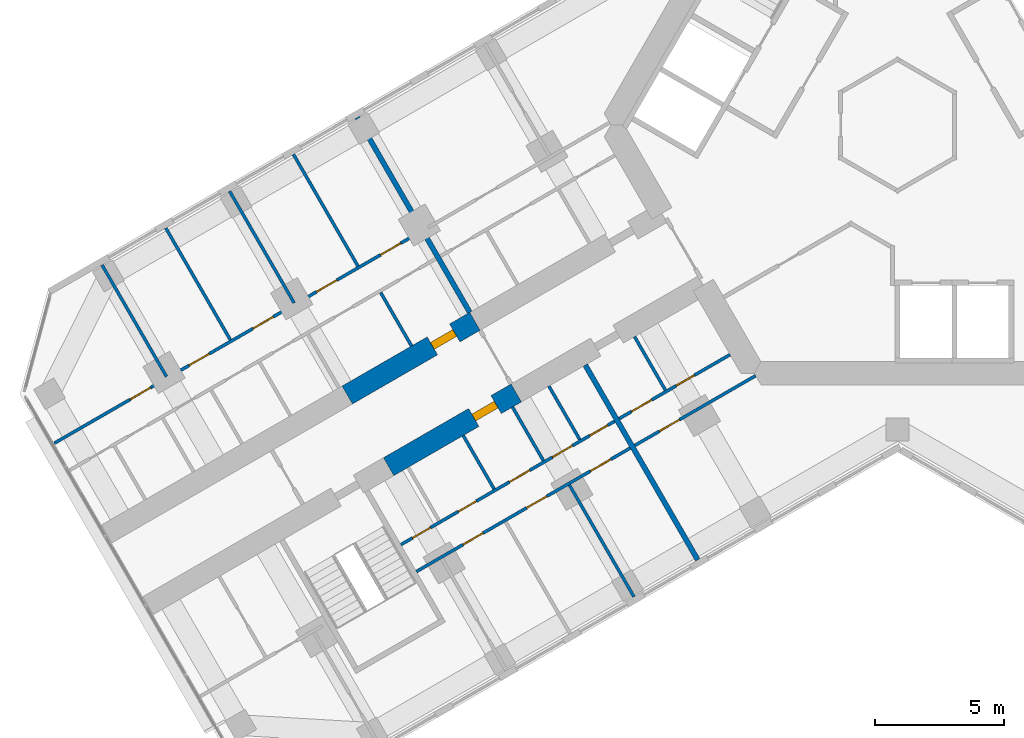
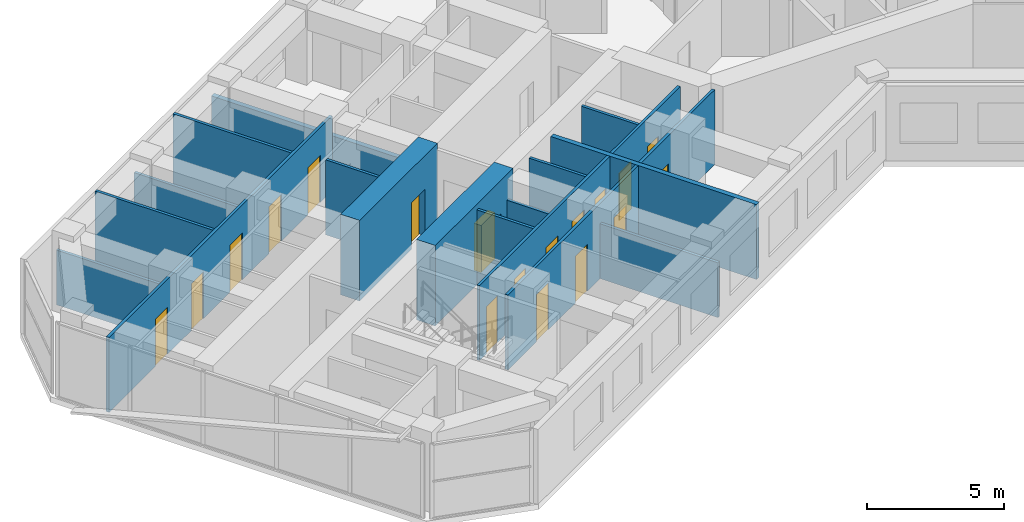
# One storey, part 11 of 19: 19 walls, 18 doors, 18 openings.
"""IFC4 building model written with IfcOpenShell, lengths in metres."""

from ifc_helpers import new_model, si_unit, direction, frame, frame_2d, origin, place, context, subcontext, project, spatial, rectangle, extrude, material, layer, layer_set, type_object, element, fill, save


model = new_model("IFC4")

# Units and contexts
model_context = context("Model", 3, precision=1e-05, world=origin(), true_north=direction((0.0, 1.0)))
body_context = subcontext(model_context, "Body", "Model", "MODEL_VIEW")
ifc_project = project(units=[si_unit("LENGTHUNIT", "METRE"), si_unit("AREAUNIT", "SQUARE_METRE"), si_unit("VOLUMEUNIT", "CUBIC_METRE"), si_unit("PLANEANGLEUNIT", "RADIAN"), si_unit("MASSUNIT", "GRAM", prefix="KILO")], contexts=[model_context])

# Site, building, storey
site_placement = place(None, origin())
site = spatial("IfcSite", under=ifc_project, at=site_placement, CompositionType="ELEMENT")
building_placement = place(site_placement, origin())
building = spatial("IfcBuilding", under=site, at=building_placement, Name="Kosmar Iwan School Tower", CompositionType="ELEMENT")
storey_placement = place(building_placement, frame((0.0, 0.0, 145.39990234375)))
storey = spatial("IfcBuildingStorey", under=building, at=storey_placement, Name="L36", CompositionType="ELEMENT", Elevation=145.39990234375)

# Wall, opening, door
ifc_material_1 = material(Name="Concrete C50/60", Category="concrete")
ifc_layer_1 = layer(ifc_material_1, 0.800048828125)
ifc_layer_set_1 = layer_set([ifc_layer_1], Name="Corridor buttress wall 800")
wall_type_1 = type_object("IfcWallType", Name="Corridor buttress wall 800", PredefinedType="SHEAR", material=ifc_layer_set_1)
wall_1_placement = place(storey_placement, frame((-14.7451171875, -10.360595703125, 0.0), z_axis=(0.0, 0.0, 1.0), x_axis=(-0.866015111908, -0.50001782563, 0.0)))
wall_1 = element("IfcWall", 1, at=wall_1_placement, inside=storey, type_object=wall_type_1, Name="Corridor wall BL bay 2", PredefinedType="SHEAR", context=body_context, shape_type="SweptSolid", body=[
    extrude(rectangle(XDim=5.699951171875, YDim=0.800048828125, at=frame_2d((2.85009765625, 0.0))), origin(), (0.0, 0.0, 1.0), 3.60009765625),
])
opening_1_placement = place(wall_1_placement, frame((0.89990234375, 0.0, 0.0)))
opening_1 = element("IfcOpeningElement", 2, at=opening_1_placement, cuts=wall_1, Name="Opening D1", PredefinedType="OPENING", context=body_context, shape_type="SweptSolid", body=[
    extrude(rectangle(XDim=1.0, YDim=2.10009765625, at=frame_2d((0.5, 1.050048828125))), frame((0.0, 0.412109375, 0.0), z_axis=(0.0, -1.0, 0.0), x_axis=(1.0, 0.0, 0.0)), (0.0, 0.0, 1.0), 0.823974609375),
])
ifc_material_2 = material(Name="Timber fire door in steel frame", Category="steel")
door_type_1 = type_object("IfcDoorType", Name="Flat entrance door 1000x2100", OperationType="SINGLE_SWING_LEFT", PredefinedType="DOOR", material=ifc_material_2)
door_1_placement = place(opening_1_placement, origin())
door_1 = element("IfcDoor", 3, at=door_1_placement, inside=storey, type_object=door_type_1, Name="Flat L36-BL2 entrance door", OperationType="SINGLE_SWING_LEFT", OverallHeight=2.10009765625, OverallWidth=1.0, PredefinedType="DOOR", context=body_context, shape_type="SweptSolid", body=[
    extrude(rectangle(XDim=1.0, YDim=2.10009765625, at=frame_2d((0.5, 1.050048828125))), frame((0.0, 0.14990234375, 0.0), z_axis=(0.0, -1.0, 0.0), x_axis=(1.0, 0.0, 0.0)), (0.0, 0.0, 1.0), 0.300048828125),
])
fill(opening_1, door_1)

wall_2_placement = place(storey_placement, frame((-16.34521484375, -7.58935546875, 0.0), z_axis=(0.0, 0.0, 1.0), x_axis=(-0.866015111908, -0.50001782563, 0.0)))
wall_2 = element("IfcWall", 4, at=wall_2_placement, inside=storey, type_object=wall_type_1, Name="Corridor wall BR bay 2", PredefinedType="SHEAR", context=body_context, shape_type="SweptSolid", body=[
    extrude(rectangle(XDim=5.699951171875, YDim=0.800048828125, at=frame_2d((2.85009765625, 0.0))), origin(), (0.0, 0.0, 1.0), 3.60009765625),
])
opening_2_placement = place(wall_2_placement, frame((0.89990234375, 0.0, 0.0)))
opening_2 = element("IfcOpeningElement", 5, at=opening_2_placement, cuts=wall_2, Name="Opening D1", PredefinedType="OPENING", context=body_context, shape_type="SweptSolid", body=[
    extrude(rectangle(XDim=1.0, YDim=2.10009765625, at=frame_2d((0.5, 1.050048828125))), frame((0.0, 0.412109375, 0.0), z_axis=(0.0, -1.0, 0.0), x_axis=(1.0, 0.0, 0.0)), (0.0, 0.0, 1.0), 0.823974609375),
])
door_2_placement = place(opening_2_placement, origin())
door_2 = element("IfcDoor", 6, at=door_2_placement, inside=storey, type_object=door_type_1, Name="Flat L36-BR2 entrance door", OperationType="SINGLE_SWING_LEFT", OverallHeight=2.10009765625, OverallWidth=1.0, PredefinedType="DOOR", context=body_context, shape_type="SweptSolid", body=[
    extrude(rectangle(XDim=1.0, YDim=2.10009765625, at=frame_2d((0.5, 1.050048828125))), frame((0.0, 0.14990234375, 0.0), z_axis=(0.0, -1.0, 0.0), x_axis=(1.0, 0.0, 0.0)), (0.0, 0.0, 1.0), 0.300048828125),
])
fill(opening_2, door_2)

# Wall, openings, doors
ifc_material_3 = material(Name="Gypsum board on steel studs", Category="steel")
ifc_layer_2 = layer(ifc_material_3, 0.1201171875)
ifc_layer_set_2 = layer_set([ifc_layer_2], Name="Dwelling partition 120")
wall_type_2 = type_object("IfcWallType", Name="Dwelling partition 120", PredefinedType="PARTITIONING", material=ifc_layer_set_2)
wall_3_placement = place(storey_placement, frame((-6.478515625, -8.87890625, 0.0), z_axis=(0.0, 0.0, 1.0), x_axis=(-0.866040211805, -0.499974350878, 0.0)))
wall_3 = element("IfcWall", 7, at=wall_3_placement, inside=storey, type_object=wall_type_2, Name="Partition L36-BL1-W1", PredefinedType="PARTITIONING", context=body_context, shape_type="SweptSolid", body=[
    extrude(rectangle(XDim=4.949951171875, YDim=0.1201171875, at=frame_2d((2.47509765625, 0.0))), origin(), (0.0, 0.0, 1.0), 3.35009765625),
])
opening_3_placement = place(wall_3_placement, frame((1.60009765625, 0.0, 0.0)))
opening_3 = element("IfcOpeningElement", 8, at=opening_3_placement, cuts=wall_3, Name="Opening D3", PredefinedType="OPENING", context=body_context, shape_type="SweptSolid", body=[
    extrude(rectangle(XDim=0.800048828125, YDim=2.10009765625, at=frame_2d((0.39990234375, 1.050048828125))), frame((0.0, 0.072021484375, 0.0), z_axis=(0.0, -1.0, 0.0), x_axis=(1.0, 0.0, 0.0)), (0.0, 0.0, 1.0), 0.14404296875),
])
opening_4_placement = place(wall_3_placement, frame((3.5, 0.0, 0.0)))
opening_4 = element("IfcOpeningElement", 9, at=opening_4_placement, cuts=wall_3, Name="Opening D2", PredefinedType="OPENING", context=body_context, shape_type="SweptSolid", body=[
    extrude(rectangle(XDim=0.89990234375, YDim=2.10009765625, at=frame_2d((0.449951171875, 1.050048828125))), frame((0.0, 0.072021484375, 0.0), z_axis=(0.0, -1.0, 0.0), x_axis=(1.0, 0.0, 0.0)), (0.0, 0.0, 1.0), 0.14404296875),
])
ifc_material_4 = material(Name="Timber door in timber frame", Category="wood")
door_type_2 = type_object("IfcDoorType", Name="Internal door 900x2100", OperationType="SINGLE_SWING_LEFT", PredefinedType="DOOR", material=ifc_material_4)
door_3_placement = place(opening_4_placement, origin())
door_3 = element("IfcDoor", 10, at=door_3_placement, inside=storey, type_object=door_type_2, Name="Entrance hall door L36-BL1-S2", OperationType="SINGLE_SWING_RIGHT", OverallHeight=2.10009765625, OverallWidth=0.89990234375, PredefinedType="DOOR", context=body_context, shape_type="SweptSolid", body=[
    extrude(rectangle(XDim=0.89990234375, YDim=2.10009765625, at=frame_2d((0.449951171875, 1.050048828125))), frame((0.0, 0.02490234375, 0.0), z_axis=(0.0, -1.0, 0.0), x_axis=(1.0, 0.0, 0.0)), (0.0, 0.0, 1.0), 0.050048828125),
])
fill(opening_4, door_3)
ifc_material_5 = material(Name="Timber door in timber frame", Category="wood")
door_type_3 = type_object("IfcDoorType", Name="Sanitary room door 800x2100", OperationType="SINGLE_SWING_LEFT", PredefinedType="DOOR", material=ifc_material_5)
door_4_placement = place(opening_3_placement, origin())
door_4 = element("IfcDoor", 11, at=door_4_placement, inside=storey, type_object=door_type_3, Name="Bathroom door L36-BL1-S1", OperationType="SINGLE_SWING_LEFT", OverallHeight=2.10009765625, OverallWidth=0.800048828125, PredefinedType="DOOR", context=body_context, shape_type="SweptSolid", body=[
    extrude(rectangle(XDim=0.800048828125, YDim=2.10009765625, at=frame_2d((0.39990234375, 1.050048828125))), frame((0.0, 0.02490234375, 0.0), z_axis=(0.0, -1.0, 0.0), x_axis=(1.0, 0.0, 0.0)), (0.0, 0.0, 1.0), 0.050048828125),
])
fill(opening_3, door_4)

# Wall, opening, door
wall_4_placement = place(storey_placement, frame((-5.48876953125, -9.693115234375, 0.0), z_axis=(0.0, 0.0, 1.0), x_axis=(-0.866028230842, -0.499995103361, 0.0)))
wall_4 = element("IfcWall", 12, at=wall_4_placement, inside=storey, type_object=wall_type_2, Name="Partition L36-BL1-W2", PredefinedType="PARTITIONING", context=body_context, shape_type="SweptSolid", body=[
    extrude(rectangle(XDim=5.39990234375, YDim=0.1201171875, at=frame_2d((2.699951171875, 0.0))), origin(), (0.0, 0.0, 1.0), 3.35009765625),
])
opening_5_placement = place(wall_4_placement, frame((3.39990234375, 0.0, 0.0)))
opening_5 = element("IfcOpeningElement", 13, at=opening_5_placement, cuts=wall_4, Name="Opening D2", PredefinedType="OPENING", context=body_context, shape_type="SweptSolid", body=[
    extrude(rectangle(XDim=0.89990234375, YDim=2.10009765625, at=frame_2d((0.449951171875, 1.050048828125))), frame((0.0, 0.072021484375, 0.0), z_axis=(0.0, -1.0, 0.0), x_axis=(1.0, 0.0, 0.0)), (0.0, 0.0, 1.0), 0.14404296875),
])
door_5_placement = place(opening_5_placement, origin())
door_5 = element("IfcDoor", 14, at=door_5_placement, inside=storey, type_object=door_type_2, Name="Studio living room and kitchen door L36-BL1-F1", OperationType="SINGLE_SWING_RIGHT", OverallHeight=2.10009765625, OverallWidth=0.89990234375, PredefinedType="DOOR", context=body_context, shape_type="SweptSolid", body=[
    extrude(rectangle(XDim=0.89990234375, YDim=2.10009765625, at=frame_2d((0.449951171875, 1.050048828125))), frame((0.0, 0.02490234375, 0.0), z_axis=(0.0, -1.0, 0.0), x_axis=(1.0, 0.0, 0.0)), (0.0, 0.0, 1.0), 0.050048828125),
])
fill(opening_5, door_5)

# Wall
wall_5_placement = place(storey_placement, frame((-10.171630859375, -8.18212890625, 0.0), z_axis=(0.0, 0.0, 1.0), x_axis=(0.499940577336, -0.866059708757, 0.0)))
element("IfcWall", 15, at=wall_5_placement, inside=storey, type_object=wall_type_2, Name="Partition L36-BL1-Y1", PredefinedType="PARTITIONING", context=body_context, shape_type="SweptSolid", body=[
    extrude(rectangle(XDim=2.389892578125, YDim=0.1201171875, at=frame_2d((1.19482421875, 0.0))), origin(), (0.0, 0.0, 1.0), 3.35009765625),
])

# Wall, openings, doors
wall_6_placement = place(storey_placement, frame((-10.9384765625, -11.453857421875, 0.0), z_axis=(0.0, 0.0, 1.0), x_axis=(-0.866035311659, -0.499982838664, 0.0)))
wall_6 = element("IfcWall", 16, at=wall_6_placement, inside=storey, type_object=wall_type_2, Name="Partition L36-BL2-W1", PredefinedType="PARTITIONING", context=body_context, shape_type="SweptSolid", body=[
    extrude(rectangle(XDim=9.550048828125, YDim=0.1201171875, at=frame_2d((4.77490234375, 0.0))), origin(), (0.0, 0.0, 1.0), 3.35009765625),
])
opening_6_placement = place(wall_6_placement, frame((0.3125, 0.0, 0.0)))
opening_6 = element("IfcOpeningElement", 17, at=opening_6_placement, cuts=wall_6, Name="Opening D3", PredefinedType="OPENING", context=body_context, shape_type="SweptSolid", body=[
    extrude(rectangle(XDim=0.800048828125, YDim=2.10009765625, at=frame_2d((0.39990234375, 1.050048828125))), frame((0.0, 0.072021484375, 0.0), z_axis=(0.0, -1.0, 0.0), x_axis=(1.0, 0.0, 0.0)), (0.0, 0.0, 1.0), 0.14404296875),
])
opening_7_placement = place(wall_6_placement, frame((1.887451171875, 0.0, 0.0)))
opening_7 = element("IfcOpeningElement", 18, at=opening_7_placement, cuts=wall_6, Name="Opening D2", PredefinedType="OPENING", context=body_context, shape_type="SweptSolid", body=[
    extrude(rectangle(XDim=0.89990234375, YDim=2.10009765625, at=frame_2d((0.449951171875, 1.050048828125))), frame((0.0, 0.072021484375, 0.0), z_axis=(0.0, -1.0, 0.0), x_axis=(1.0, 0.0, 0.0)), (0.0, 0.0, 1.0), 0.14404296875),
])
opening_8_placement = place(wall_6_placement, frame((3.800048828125, 0.0, 0.0)))
opening_8 = element("IfcOpeningElement", 19, at=opening_8_placement, cuts=wall_6, Name="Opening D2", PredefinedType="OPENING", context=body_context, shape_type="SweptSolid", body=[
    extrude(rectangle(XDim=0.89990234375, YDim=2.10009765625, at=frame_2d((0.449951171875, 1.050048828125))), frame((0.0, 0.072021484375, 0.0), z_axis=(0.0, -1.0, 0.0), x_axis=(1.0, 0.0, 0.0)), (0.0, 0.0, 1.0), 0.14404296875),
])
opening_9_placement = place(wall_6_placement, frame((6.179931640625, 0.0, 0.0)))
opening_9 = element("IfcOpeningElement", 20, at=opening_9_placement, cuts=wall_6, Name="Opening D3", PredefinedType="OPENING", context=body_context, shape_type="SweptSolid", body=[
    extrude(rectangle(XDim=0.800048828125, YDim=2.10009765625, at=frame_2d((0.39990234375, 1.050048828125))), frame((0.0, 0.072021484375, 0.0), z_axis=(0.0, -1.0, 0.0), x_axis=(1.0, 0.0, 0.0)), (0.0, 0.0, 1.0), 0.14404296875),
])
opening_10_placement = place(wall_6_placement, frame((8.22998046875, 0.0, 0.0)))
opening_10 = element("IfcOpeningElement", 21, at=opening_10_placement, cuts=wall_6, Name="Opening D3", PredefinedType="OPENING", context=body_context, shape_type="SweptSolid", body=[
    extrude(rectangle(XDim=0.800048828125, YDim=2.10009765625, at=frame_2d((0.39990234375, 1.050048828125))), frame((0.0, 0.072021484375, 0.0), z_axis=(0.0, -1.0, 0.0), x_axis=(1.0, 0.0, 0.0)), (0.0, 0.0, 1.0), 0.14404296875),
])
door_6_placement = place(opening_7_placement, frame((0.89990234375, 0.0, 0.0), z_axis=(0.0, 0.0, 1.0), x_axis=(-1.0, 0.0, 0.0)))
door_6 = element("IfcDoor", 22, at=door_6_placement, inside=storey, type_object=door_type_2, Name="Pantry door L36-BL2-S2", OperationType="SINGLE_SWING_RIGHT", OverallHeight=2.10009765625, OverallWidth=0.89990234375, PredefinedType="DOOR", context=body_context, shape_type="SweptSolid", body=[
    extrude(rectangle(XDim=0.89990234375, YDim=2.10009765625, at=frame_2d((0.449951171875, 1.050048828125))), frame((0.0, 0.02490234375, 0.0), z_axis=(0.0, -1.0, 0.0), x_axis=(1.0, 0.0, 0.0)), (0.0, 0.0, 1.0), 0.050048828125),
])
fill(opening_7, door_6)
door_7_placement = place(opening_8_placement, origin())
door_7 = element("IfcDoor", 23, at=door_7_placement, inside=storey, type_object=door_type_2, Name="Entrance hall door L36-BL2-S3", OperationType="SINGLE_SWING_LEFT", OverallHeight=2.10009765625, OverallWidth=0.89990234375, PredefinedType="DOOR", context=body_context, shape_type="SweptSolid", body=[
    extrude(rectangle(XDim=0.89990234375, YDim=2.10009765625, at=frame_2d((0.449951171875, 1.050048828125))), frame((0.0, 0.02490234375, 0.0), z_axis=(0.0, -1.0, 0.0), x_axis=(1.0, 0.0, 0.0)), (0.0, 0.0, 1.0), 0.050048828125),
])
fill(opening_8, door_7)
door_8_placement = place(opening_6_placement, origin())
door_8 = element("IfcDoor", 24, at=door_8_placement, inside=storey, type_object=door_type_3, Name="Store door L36-BL2-S1", OperationType="SINGLE_SWING_LEFT", OverallHeight=2.10009765625, OverallWidth=0.800048828125, PredefinedType="DOOR", context=body_context, shape_type="SweptSolid", body=[
    extrude(rectangle(XDim=0.800048828125, YDim=2.10009765625, at=frame_2d((0.39990234375, 1.050048828125))), frame((0.0, 0.02490234375, 0.0), z_axis=(0.0, -1.0, 0.0), x_axis=(1.0, 0.0, 0.0)), (0.0, 0.0, 1.0), 0.050048828125),
])
fill(opening_6, door_8)
door_9_placement = place(opening_9_placement, origin())
door_9 = element("IfcDoor", 25, at=door_9_placement, inside=storey, type_object=door_type_3, Name="Bathroom door L36-BL2-S4", OperationType="SINGLE_SWING_RIGHT", OverallHeight=2.10009765625, OverallWidth=0.800048828125, PredefinedType="DOOR", context=body_context, shape_type="SweptSolid", body=[
    extrude(rectangle(XDim=0.800048828125, YDim=2.10009765625, at=frame_2d((0.39990234375, 1.050048828125))), frame((0.0, 0.02490234375, 0.0), z_axis=(0.0, -1.0, 0.0), x_axis=(1.0, 0.0, 0.0)), (0.0, 0.0, 1.0), 0.050048828125),
])
fill(opening_9, door_9)
door_10_placement = place(opening_10_placement, origin())
door_10 = element("IfcDoor", 26, at=door_10_placement, inside=storey, type_object=door_type_3, Name="WC door L36-BL2-S5", OperationType="SINGLE_SWING_RIGHT", OverallHeight=2.10009765625, OverallWidth=0.800048828125, PredefinedType="DOOR", context=body_context, shape_type="SweptSolid", body=[
    extrude(rectangle(XDim=0.800048828125, YDim=2.10009765625, at=frame_2d((0.39990234375, 1.050048828125))), frame((0.0, 0.02490234375, 0.0), z_axis=(0.0, -1.0, 0.0), x_axis=(1.0, 0.0, 0.0)), (0.0, 0.0, 1.0), 0.050048828125),
])
fill(opening_10, door_10)

wall_7_placement = place(storey_placement, frame((-10.338623046875, -12.492919921875, 0.0), z_axis=(0.0, 0.0, 1.0), x_axis=(-0.866017851049, -0.500013081493, 0.0)))
wall_7 = element("IfcWall", 27, at=wall_7_placement, inside=storey, type_object=wall_type_2, Name="Partition L36-BL2-W2", PredefinedType="PARTITIONING", context=body_context, shape_type="SweptSolid", body=[
    extrude(rectangle(XDim=9.550048828125, YDim=0.1201171875, at=frame_2d((4.77490234375, 0.0))), origin(), (0.0, 0.0, 1.0), 3.35009765625),
])
opening_11_placement = place(wall_7_placement, frame((0.875, 0.0, 0.0)))
opening_11 = element("IfcOpeningElement", 28, at=opening_11_placement, cuts=wall_7, Name="Opening D2", PredefinedType="OPENING", context=body_context, shape_type="SweptSolid", body=[
    extrude(rectangle(XDim=0.89990234375, YDim=2.10009765625, at=frame_2d((0.449951171875, 1.050048828125))), frame((0.0, 0.072021484375, 0.0), z_axis=(0.0, -1.0, 0.0), x_axis=(1.0, 0.0, 0.0)), (0.0, 0.0, 1.0), 0.14404296875),
])
opening_12_placement = place(wall_7_placement, frame((3.72509765625, 0.0, 0.0)))
opening_12 = element("IfcOpeningElement", 29, at=opening_12_placement, cuts=wall_7, Name="Opening D2", PredefinedType="OPENING", context=body_context, shape_type="SweptSolid", body=[
    extrude(rectangle(XDim=0.89990234375, YDim=2.10009765625, at=frame_2d((0.449951171875, 1.050048828125))), frame((0.0, 0.072021484375, 0.0), z_axis=(0.0, -1.0, 0.0), x_axis=(1.0, 0.0, 0.0)), (0.0, 0.0, 1.0), 0.14404296875),
])
opening_13_placement = place(wall_7_placement, frame((6.574951171875, 0.0, 0.0)))
opening_13 = element("IfcOpeningElement", 30, at=opening_13_placement, cuts=wall_7, Name="Opening D2", PredefinedType="OPENING", context=body_context, shape_type="SweptSolid", body=[
    extrude(rectangle(XDim=0.89990234375, YDim=2.10009765625, at=frame_2d((0.449951171875, 1.050048828125))), frame((0.0, 0.072021484375, 0.0), z_axis=(0.0, -1.0, 0.0), x_axis=(1.0, 0.0, 0.0)), (0.0, 0.0, 1.0), 0.14404296875),
])
door_11_placement = place(opening_11_placement, origin())
door_11 = element("IfcDoor", 31, at=door_11_placement, inside=storey, type_object=door_type_2, Name="Living room door L36-BL2-F1", OperationType="SINGLE_SWING_RIGHT", OverallHeight=2.10009765625, OverallWidth=0.89990234375, PredefinedType="DOOR", context=body_context, shape_type="SweptSolid", body=[
    extrude(rectangle(XDim=0.89990234375, YDim=2.10009765625, at=frame_2d((0.449951171875, 1.050048828125))), frame((0.0, 0.02490234375, 0.0), z_axis=(0.0, -1.0, 0.0), x_axis=(1.0, 0.0, 0.0)), (0.0, 0.0, 1.0), 0.050048828125),
])
fill(opening_11, door_11)
door_12_placement = place(opening_12_placement, origin())
door_12 = element("IfcDoor", 32, at=door_12_placement, inside=storey, type_object=door_type_2, Name="Kitchen and dining room door L36-BL2-F2", OperationType="SINGLE_SWING_LEFT", OverallHeight=2.10009765625, OverallWidth=0.89990234375, PredefinedType="DOOR", context=body_context, shape_type="SweptSolid", body=[
    extrude(rectangle(XDim=0.89990234375, YDim=2.10009765625, at=frame_2d((0.449951171875, 1.050048828125))), frame((0.0, 0.02490234375, 0.0), z_axis=(0.0, -1.0, 0.0), x_axis=(1.0, 0.0, 0.0)), (0.0, 0.0, 1.0), 0.050048828125),
])
fill(opening_12, door_12)
door_13_placement = place(opening_13_placement, origin())
door_13 = element("IfcDoor", 33, at=door_13_placement, inside=storey, type_object=door_type_2, Name="Bedroom 1 door L36-BL2-F3", OperationType="SINGLE_SWING_RIGHT", OverallHeight=2.10009765625, OverallWidth=0.89990234375, PredefinedType="DOOR", context=body_context, shape_type="SweptSolid", body=[
    extrude(rectangle(XDim=0.89990234375, YDim=2.10009765625, at=frame_2d((0.449951171875, 1.050048828125))), frame((0.0, 0.02490234375, 0.0), z_axis=(0.0, -1.0, 0.0), x_axis=(1.0, 0.0, 0.0)), (0.0, 0.0, 1.0), 0.050048828125),
])
fill(opening_13, door_13)

# Walls
wall_8_placement = place(storey_placement, frame((-12.690185546875, -13.919921875, 0.0), z_axis=(0.0, 0.0, 1.0), x_axis=(0.500011847778, -0.866018563358, 0.0)))
element("IfcWall", 34, at=wall_8_placement, inside=storey, type_object=wall_type_2, Name="Partition L36-BL2-X1", PredefinedType="PARTITIONING", context=body_context, shape_type="SweptSolid", body=[
    extrude(rectangle(XDim=4.990234375, YDim=0.1201171875, at=frame_2d((2.4951171875, 0.0))), origin(), (0.0, 0.0, 1.0), 2.4501953125),
])
wall_9_placement = place(storey_placement, frame((-13.484375, -10.094482421875, 0.0), z_axis=(0.0, 0.0, 1.0), x_axis=(0.500017192868, -0.86601547725, 0.0)))
element("IfcWall", 35, at=wall_9_placement, inside=storey, type_object=wall_type_2, Name="Partition L36-BL2-Y1", PredefinedType="PARTITIONING", context=body_context, shape_type="SweptSolid", body=[
    extrude(rectangle(XDim=2.39013671875, YDim=0.1201171875, at=frame_2d((1.195068359375, 0.0))), origin(), (0.0, 0.0, 1.0), 3.35009765625),
])
wall_10_placement = place(storey_placement, frame((-14.8916015625, -10.906982421875, 0.0), z_axis=(0.0, 0.0, 1.0), x_axis=(0.500017192868, -0.86601547725, 0.0)))
element("IfcWall", 36, at=wall_10_placement, inside=storey, type_object=wall_type_2, Name="Partition L36-BL2-Y2", PredefinedType="PARTITIONING", context=body_context, shape_type="SweptSolid", body=[
    extrude(rectangle(XDim=2.39013671875, YDim=0.1201171875, at=frame_2d((1.195068359375, 0.0))), origin(), (0.0, 0.0, 1.0), 2.4501953125),
])
wall_11_placement = place(storey_placement, frame((-16.796875, -12.007080078125, 0.0), z_axis=(0.0, 0.0, 1.0), x_axis=(0.500017192868, -0.86601547725, 0.0)))
element("IfcWall", 37, at=wall_11_placement, inside=storey, type_object=wall_type_2, Name="Partition L36-BL2-Y3", PredefinedType="PARTITIONING", context=body_context, shape_type="SweptSolid", body=[
    extrude(rectangle(XDim=2.39013671875, YDim=0.1201171875, at=frame_2d((1.195068359375, 0.0))), origin(), (0.0, 0.0, 1.0), 3.35009765625),
])

# Wall, openings, doors
wall_12_placement = place(storey_placement, frame((-18.456787109375, -4.1318359375, 0.0), z_axis=(0.0, 0.0, 1.0), x_axis=(-0.866023907196, -0.500002592159, 0.0)))
wall_12 = element("IfcWall", 38, at=wall_12_placement, inside=storey, type_object=wall_type_2, Name="Partition L36-BR2-W2", PredefinedType="PARTITIONING", context=body_context, shape_type="SweptSolid", body=[
    extrude(rectangle(XDim=16.34521484375, YDim=0.1201171875, at=frame_2d((8.172607421875, 0.0))), origin(), (0.0, 0.0, 1.0), 3.35009765625),
])
opening_14_placement = place(wall_12_placement, frame((0.875, 0.0, 0.0)))
opening_14 = element("IfcOpeningElement", 39, at=opening_14_placement, cuts=wall_12, Name="Opening D2", PredefinedType="OPENING", context=body_context, shape_type="SweptSolid", body=[
    extrude(rectangle(XDim=0.89990234375, YDim=2.10009765625, at=frame_2d((0.449951171875, 1.050048828125))), frame((0.0, 0.072021484375, 0.0), z_axis=(0.0, -1.0, 0.0), x_axis=(1.0, 0.0, 0.0)), (0.0, 0.0, 1.0), 0.14404296875),
])
opening_15_placement = place(wall_12_placement, frame((3.72509765625, 0.0, 0.0)))
opening_15 = element("IfcOpeningElement", 40, at=opening_15_placement, cuts=wall_12, Name="Opening D2", PredefinedType="OPENING", context=body_context, shape_type="SweptSolid", body=[
    extrude(rectangle(XDim=0.89990234375, YDim=2.10009765625, at=frame_2d((0.449951171875, 1.050048828125))), frame((0.0, 0.072021484375, 0.0), z_axis=(0.0, -1.0, 0.0), x_axis=(1.0, 0.0, 0.0)), (0.0, 0.0, 1.0), 0.14404296875),
])
opening_16_placement = place(wall_12_placement, frame((6.574951171875, 0.0, 0.0)))
opening_16 = element("IfcOpeningElement", 41, at=opening_16_placement, cuts=wall_12, Name="Opening D2", PredefinedType="OPENING", context=body_context, shape_type="SweptSolid", body=[
    extrude(rectangle(XDim=0.89990234375, YDim=2.10009765625, at=frame_2d((0.449951171875, 1.050048828125))), frame((0.0, 0.072021484375, 0.0), z_axis=(0.0, -1.0, 0.0), x_axis=(1.0, 0.0, 0.0)), (0.0, 0.0, 1.0), 0.14404296875),
])
opening_17_placement = place(wall_12_placement, frame((9.425048828125, 0.0, 0.0)))
opening_17 = element("IfcOpeningElement", 42, at=opening_17_placement, cuts=wall_12, Name="Opening D2", PredefinedType="OPENING", context=body_context, shape_type="SweptSolid", body=[
    extrude(rectangle(XDim=0.89990234375, YDim=2.10009765625, at=frame_2d((0.449951171875, 1.050048828125))), frame((0.0, 0.072021484375, 0.0), z_axis=(0.0, -1.0, 0.0), x_axis=(1.0, 0.0, 0.0)), (0.0, 0.0, 1.0), 0.14404296875),
])
opening_18_placement = place(wall_12_placement, frame((12.050048828125, 0.0, 0.0)))
opening_18 = element("IfcOpeningElement", 43, at=opening_18_placement, cuts=wall_12, Name="Opening D2", PredefinedType="OPENING", context=body_context, shape_type="SweptSolid", body=[
    extrude(rectangle(XDim=0.89990234375, YDim=2.10009765625, at=frame_2d((0.449951171875, 1.050048828125))), frame((0.0, 0.072021484375, 0.0), z_axis=(0.0, -1.0, 0.0), x_axis=(1.0, 0.0, 0.0)), (0.0, 0.0, 1.0), 0.14404296875),
])
door_14_placement = place(opening_14_placement, origin())
door_14 = element("IfcDoor", 44, at=door_14_placement, inside=storey, type_object=door_type_2, Name="Kitchen and dining room door L36-BR2-F1", OperationType="SINGLE_SWING_LEFT", OverallHeight=2.10009765625, OverallWidth=0.89990234375, PredefinedType="DOOR", context=body_context, shape_type="SweptSolid", body=[
    extrude(rectangle(XDim=0.89990234375, YDim=2.10009765625, at=frame_2d((0.449951171875, 1.050048828125))), frame((0.0, 0.02490234375, 0.0), z_axis=(0.0, -1.0, 0.0), x_axis=(1.0, 0.0, 0.0)), (0.0, 0.0, 1.0), 0.050048828125),
])
fill(opening_14, door_14)
door_15_placement = place(opening_15_placement, origin())
door_15 = element("IfcDoor", 45, at=door_15_placement, inside=storey, type_object=door_type_2, Name="Guest reception room door L36-BR2-F2", OperationType="SINGLE_SWING_LEFT", OverallHeight=2.10009765625, OverallWidth=0.89990234375, PredefinedType="DOOR", context=body_context, shape_type="SweptSolid", body=[
    extrude(rectangle(XDim=0.89990234375, YDim=2.10009765625, at=frame_2d((0.449951171875, 1.050048828125))), frame((0.0, 0.02490234375, 0.0), z_axis=(0.0, -1.0, 0.0), x_axis=(1.0, 0.0, 0.0)), (0.0, 0.0, 1.0), 0.050048828125),
])
fill(opening_15, door_15)
door_16_placement = place(opening_16_placement, origin())
door_16 = element("IfcDoor", 46, at=door_16_placement, inside=storey, type_object=door_type_2, Name="Dining room door L36-BR2-F3", OperationType="SINGLE_SWING_LEFT", OverallHeight=2.10009765625, OverallWidth=0.89990234375, PredefinedType="DOOR", context=body_context, shape_type="SweptSolid", body=[
    extrude(rectangle(XDim=0.89990234375, YDim=2.10009765625, at=frame_2d((0.449951171875, 1.050048828125))), frame((0.0, 0.02490234375, 0.0), z_axis=(0.0, -1.0, 0.0), x_axis=(1.0, 0.0, 0.0)), (0.0, 0.0, 1.0), 0.050048828125),
])
fill(opening_16, door_16)
door_17_placement = place(opening_17_placement, origin())
door_17 = element("IfcDoor", 47, at=door_17_placement, inside=storey, type_object=door_type_2, Name="Bedroom 1 door L36-BR2-F4", OperationType="SINGLE_SWING_RIGHT", OverallHeight=2.10009765625, OverallWidth=0.89990234375, PredefinedType="DOOR", context=body_context, shape_type="SweptSolid", body=[
    extrude(rectangle(XDim=0.89990234375, YDim=2.10009765625, at=frame_2d((0.449951171875, 1.050048828125))), frame((0.0, 0.02490234375, 0.0), z_axis=(0.0, -1.0, 0.0), x_axis=(1.0, 0.0, 0.0)), (0.0, 0.0, 1.0), 0.050048828125),
])
fill(opening_17, door_17)
door_18_placement = place(opening_18_placement, origin())
door_18 = element("IfcDoor", 48, at=door_18_placement, inside=storey, type_object=door_type_2, Name="Living room door L36-BR2-F5", OperationType="SINGLE_SWING_RIGHT", OverallHeight=2.10009765625, OverallWidth=0.89990234375, PredefinedType="DOOR", context=body_context, shape_type="SweptSolid", body=[
    extrude(rectangle(XDim=0.89990234375, YDim=2.10009765625, at=frame_2d((0.449951171875, 1.050048828125))), frame((0.0, 0.02490234375, 0.0), z_axis=(0.0, -1.0, 0.0), x_axis=(1.0, 0.0, 0.0)), (0.0, 0.0, 1.0), 0.050048828125),
])
fill(opening_18, door_18)

# Walls
wall_13_placement = place(storey_placement, frame((-20.868408203125, -5.455078125, 0.0), z_axis=(0.0, 0.0, 1.0), x_axis=(-0.499975153383, 0.86603974851, 0.0)))
element("IfcWall", 49, at=wall_13_placement, inside=storey, type_object=wall_type_2, Name="Partition L36-BR2-X1", PredefinedType="PARTITIONING", context=body_context, shape_type="SweptSolid", body=[
    extrude(rectangle(XDim=4.989990234375, YDim=0.1201171875, at=frame_2d((2.4951171875, 0.0))), origin(), (0.0, 0.0, 1.0), 3.35009765625),
])
wall_14_placement = place(storey_placement, frame((-23.33642578125, -6.8798828125, 0.0), z_axis=(0.0, 0.0, 1.0), x_axis=(-0.500033033937, 0.866006330792, 0.0)))
element("IfcWall", 50, at=wall_14_placement, inside=storey, type_object=wall_type_2, Name="Partition L36-BR2-X2", PredefinedType="PARTITIONING", context=body_context, shape_type="SweptSolid", body=[
    extrude(rectangle(XDim=4.989990234375, YDim=0.1201171875, at=frame_2d((2.4951171875, 0.0))), origin(), (0.0, 0.0, 1.0), 2.4501953125),
])
wall_15_placement = place(storey_placement, frame((-25.8046875, -8.304931640625, 0.0), z_axis=(0.0, 0.0, 1.0), x_axis=(-0.499975153383, 0.86603974851, 0.0)))
element("IfcWall", 51, at=wall_15_placement, inside=storey, type_object=wall_type_2, Name="Partition L36-BR2-X3", PredefinedType="PARTITIONING", context=body_context, shape_type="SweptSolid", body=[
    extrude(rectangle(XDim=4.989990234375, YDim=0.1201171875, at=frame_2d((2.4951171875, 0.0))), origin(), (0.0, 0.0, 1.0), 3.35009765625),
])
wall_16_placement = place(storey_placement, frame((-28.27294921875, -9.72998046875, 0.0), z_axis=(0.0, 0.0, 1.0), x_axis=(-0.499975153383, 0.86603974851, 0.0)))
element("IfcWall", 52, at=wall_16_placement, inside=storey, type_object=wall_type_2, Name="Partition L36-BR2-X4", PredefinedType="PARTITIONING", context=body_context, shape_type="SweptSolid", body=[
    extrude(rectangle(XDim=4.989990234375, YDim=0.1201171875, at=frame_2d((2.4951171875, 0.0))), origin(), (0.0, 0.0, 1.0), 2.4501953125),
])
wall_17_placement = place(storey_placement, frame((-18.796875, -8.54296875, 0.0), z_axis=(0.0, 0.0, 1.0), x_axis=(-0.500017192868, 0.86601547725, 0.0)))
element("IfcWall", 53, at=wall_17_placement, inside=storey, type_object=wall_type_2, Name="Partition L36-BR2-Y1", PredefinedType="PARTITIONING", context=body_context, shape_type="SweptSolid", body=[
    extrude(rectangle(XDim=2.39013671875, YDim=0.1201171875, at=frame_2d((1.195068359375, 0.0))), origin(), (0.0, 0.0, 1.0), 3.35009765625),
])
ifc_material_6 = material(Name="Concrete block masonry", Category="masonry")
ifc_layer_3 = layer(ifc_material_6, 0.199951171875)
ifc_layer_set_3 = layer_set([ifc_layer_3], Name="Party wall 200")
wall_type_3 = type_object("IfcWallType", Name="Party wall 200", PredefinedType="PARTITIONING", material=ifc_layer_set_3)
wall_18_placement = place(storey_placement, frame((-12.076904296875, -9.281982421875, 0.0), z_axis=(0.0, 0.0, 1.0), x_axis=(0.499987231761, -0.866032775405, 0.0)))
element("IfcWall", 54, at=wall_18_placement, inside=storey, type_object=wall_type_3, Name="Partition L36-BL2-PW", PredefinedType="PARTITIONING", context=body_context, shape_type="SweptSolid", body=[
    extrude(rectangle(XDim=8.699951171875, YDim=0.199951171875, at=frame_2d((4.35009765625, 0.0))), origin(), (0.0, 0.0, 1.0), 3.35009765625),
])
wall_19_placement = place(storey_placement, frame((-16.545166015625, -7.242919921875, 0.0), z_axis=(0.0, 0.0, 1.0), x_axis=(-0.500008278454, 0.866020624164, 0.0)))
element("IfcWall", 55, at=wall_19_placement, inside=storey, type_object=wall_type_3, Name="Partition L36-BR2-PW", PredefinedType="PARTITIONING", context=body_context, shape_type="SweptSolid", body=[
    extrude(rectangle(XDim=8.699951171875, YDim=0.199951171875, at=frame_2d((4.35009765625, 0.0))), origin(), (0.0, 0.0, 1.0), 2.4501953125),
])

save(model, "model.ifc")
